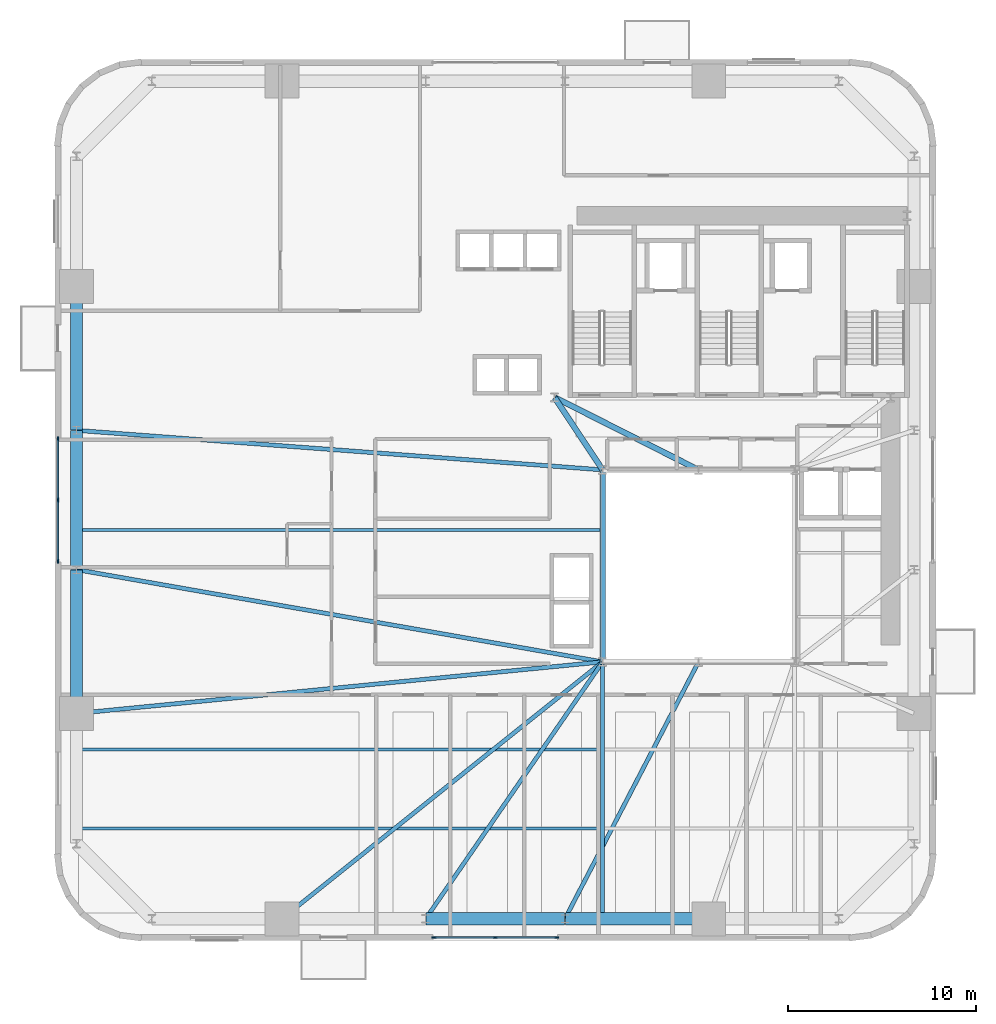
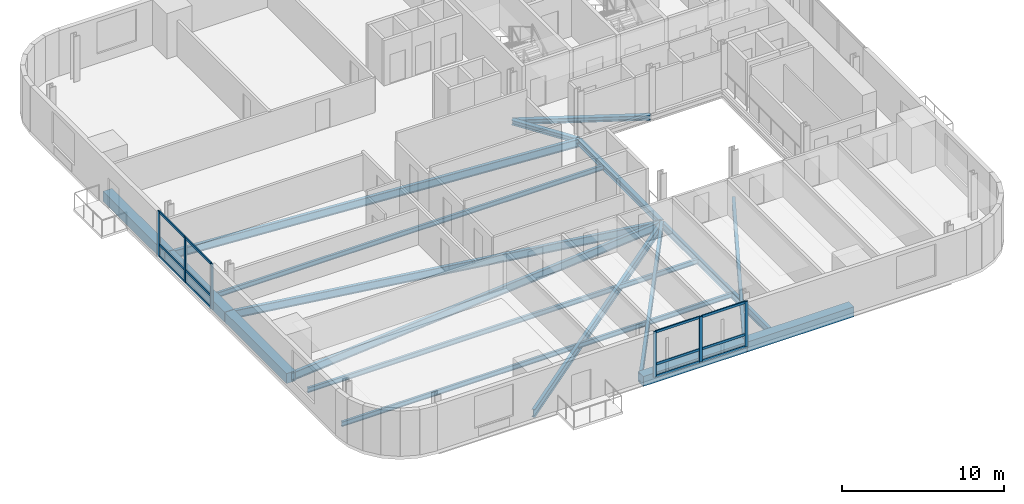
# One storey, part 2 of 13: 18 beams, 18 members, 2 elements without a shape of their own.
"""IFC4 building model written with IfcOpenShell, lengths in metres."""

from ifc_helpers import new_model, si_unit, direction, frame, origin, origin_2d, place, context, subcontext, project, spatial, rectangle, i_section, extrude, source, transform, mapped, material, material_profile, profile_set, type_object, element, aggregate, save


model = new_model("IFC4")

# Units and contexts
model_context = context("Model", 3, precision=1e-05, world=origin(), true_north=direction((0.0, 1.0)))
body_context = subcontext(model_context, "Body", "Model", "MODEL_VIEW")
ifc_project = project(units=[si_unit("LENGTHUNIT", "METRE"), si_unit("AREAUNIT", "SQUARE_METRE"), si_unit("VOLUMEUNIT", "CUBIC_METRE"), si_unit("PLANEANGLEUNIT", "RADIAN"), si_unit("MASSUNIT", "GRAM", prefix="KILO")], contexts=[model_context])

# Site, building, storey
site_placement = place(None, origin())
site = spatial("IfcSite", under=ifc_project, at=site_placement, CompositionType="ELEMENT")
building_placement = place(site_placement, origin())
building = spatial("IfcBuilding", under=site, at=building_placement, Name="Vardaveli Station Tower", CompositionType="ELEMENT")
storey_placement = place(building_placement, frame((0.0, 0.0, 56.800048828125)))
storey = spatial("IfcBuildingStorey", under=building, at=storey_placement, Name="L14", CompositionType="ELEMENT", Elevation=56.800048828125)

# Beams
ifc_material_1 = material(Name="Structural steel S355J2", Category="steel")
ifc_material_profile_1 = material_profile(ifc_material_1, i_section(OverallWidth=0.300048828125, OverallDepth=0.449951171875, WebThickness=0.013916015625, FlangeThickness=0.02587890625, FilletRadius=0.027099609375, at=origin_2d()), Name="HEB 450")
ifc_profile_set_1 = profile_set([ifc_material_profile_1], Name="Structural steel S355J2")
beam_type_1 = type_object("IfcBeamType", Name="BM-HEB450", PredefinedType="BEAM", material=ifc_profile_set_1)
shared_shape_1 = source(origin(), body_context, "Body", "SweptSolid", [
    extrude(i_section(OverallWidth=0.300048828125, OverallDepth=0.449951171875, WebThickness=0.013916015625, FlangeThickness=0.02587890625, FilletRadius=0.027099609375, at=origin_2d()), origin(), (0.0, 0.0, 1.0), 10.159912109375),
])
beam_1_placement = place(storey_placement, frame((31.199951171875, 26.780029296875, -0.465087890625), z_axis=(0.0, -1.0, 0.0), x_axis=(1.0, 0.0, 0.0)))
element("IfcBeam", 1, at=beam_1_placement, inside=storey, type_object=beam_type_1, Name="ABM-L14-06", PredefinedType="BEAM", context=body_context, shape_type="MappedRepresentation", body=[
    mapped(shared_shape_1, transform((0.0, 0.0, 0.0), scale=1.0)),
])
ifc_material_profile_2 = material_profile(ifc_material_1, i_section(OverallWidth=0.300048828125, OverallDepth=0.360107421875, WebThickness=0.012451171875, FlangeThickness=0.0224609375, FilletRadius=0.027099609375, at=origin_2d()), Name="HEB 360")
ifc_profile_set_2 = profile_set([ifc_material_profile_2], Name="Structural steel S355J2")
beam_type_2 = type_object("IfcBeamType", Name="BM-HEB360", PredefinedType="BEAM", material=ifc_profile_set_2)
shared_shape_2 = source(origin(), body_context, "Body", "SweptSolid", [
    extrude(i_section(OverallWidth=0.300048828125, OverallDepth=0.360107421875, WebThickness=0.012451171875, FlangeThickness=0.0224609375, FilletRadius=0.027099609375, at=origin_2d()), origin(), (0.0, 0.0, 1.0), 4.577880859375),
])
beam_2_placement = place(storey_placement, frame((31.18896484375, 26.816650390625, -0.420166015625), z_axis=(-0.55218702139, 0.833720272879, 0.0), x_axis=(-0.833720272879, -0.55218702139, 0.0)))
element("IfcBeam", 2, at=beam_2_placement, inside=storey, type_object=beam_type_2, Name="CBM-L14-01", PredefinedType="BEAM", context=body_context, shape_type="MappedRepresentation", body=[
    mapped(shared_shape_2, transform((0.0, 0.0, 0.0), scale=1.0)),
])
shared_shape_3 = source(origin(), body_context, "Body", "SweptSolid", [
    extrude(i_section(OverallWidth=0.300048828125, OverallDepth=0.360107421875, WebThickness=0.012451171875, FlangeThickness=0.0224609375, FilletRadius=0.027099609375, at=origin_2d()), origin(), (0.0, 0.0, 1.0), 8.524169921875),
])
beam_3_placement = place(storey_placement, frame((28.66796875, 30.64111328125, -0.420166015625), z_axis=(0.893255584708, -0.449549174605, 0.0), x_axis=(0.449549174605, 0.893255584708, 0.0)))
element("IfcBeam", 3, at=beam_3_placement, inside=storey, type_object=beam_type_2, Name="CBM-L14-03", PredefinedType="BEAM", context=body_context, shape_type="MappedRepresentation", body=[
    mapped(shared_shape_3, transform((0.0, 0.0, 0.0), scale=1.0)),
])
ifc_material_2 = material(Name="Precast concrete C45/55", Category="concrete")
ifc_material_profile_3 = material_profile(ifc_material_2, rectangle(XDim=0.64990234375, YDim=0.75, at=origin_2d()), Name="LPB 650x750")
ifc_profile_set_3 = profile_set([ifc_material_profile_3], Name="Precast concrete C45/55")
beam_type_3 = type_object("IfcBeamType", Name="BM-LPB-750", PredefinedType="BEAM", material=ifc_profile_set_3)
shared_shape_4 = source(origin(), body_context, "Body", "SweptSolid", [
    extrude(rectangle(XDim=0.64990234375, YDim=0.75, at=origin_2d()), origin(), (0.0, 0.0, 1.0), 7.60009765625),
])
for number, where, z_axis, x_axis, name in (
    (4, (29.219970703125, 2.949951171875, -0.614990234375), (1.0, 0.0, 0.0), (0.0, 1.0, 0.0), "RBM-L14-03"),
    (5, (3.25, 36.52001953125, -0.614990234375), (0.0, -1.0, 0.0), (1.0, 0.0, 0.0), "RBM-L14-19"),
    (6, (3.25, 21.47998046875, -0.614990234375), (0.0, -1.0, 0.0), (1.0, 0.0, 0.0), "RBM-L14-21"),
):
    element("IfcBeam", number, at=place(storey_placement, frame(where, z_axis=z_axis, x_axis=x_axis)), inside=storey, type_object=beam_type_3, Name=name, PredefinedType="BEAM", context=body_context, shape_type="MappedRepresentation", body=[
        mapped(shared_shape_4, transform((0.0, 0.0, 0.0), scale=1.0)),
    ])
shared_shape_5 = source(origin(), body_context, "Body", "SweptSolid", [
    extrude(rectangle(XDim=0.64990234375, YDim=0.75, at=origin_2d()), origin(), (0.0, 0.0, 1.0), 7.35986328125),
])
for number, where, z_axis, x_axis, name in (
    (7, (21.820068359375, 2.949951171875, -0.614990234375), (1.0, 0.0, 0.0), (0.0, 1.0, 0.0), "RBM-L14-02"),
    (8, (3.25, 28.8798828125, -0.614990234375), (0.0, -1.0, 0.0), (1.0, 0.0, 0.0), "RBM-L14-20"),
):
    element("IfcBeam", number, at=place(storey_placement, frame(where, z_axis=z_axis, x_axis=x_axis)), inside=storey, type_object=beam_type_3, Name=name, PredefinedType="BEAM", context=body_context, shape_type="MappedRepresentation", body=[
        mapped(shared_shape_5, transform((0.0, 0.0, 0.0), scale=1.0)),
    ])
ifc_material_profile_4 = material_profile(ifc_material_1, i_section(OverallWidth=0.219970703125, OverallDepth=0.60009765625, WebThickness=0.011962890625, FlangeThickness=0.01904296875, FilletRadius=0.02392578125, at=origin_2d()), Name="IPE 600")
ifc_profile_set_4 = profile_set([ifc_material_profile_4], Name="Structural steel S355J2")
beam_type_4 = type_object("IfcBeamType", Name="BM-IPE600", PredefinedType="BEAM", material=ifc_profile_set_4)
shared_shape_6 = source(origin(), body_context, "Body", "SweptSolid", [
    extrude(i_section(OverallWidth=0.219970703125, OverallDepth=0.60009765625, WebThickness=0.011962890625, FlangeThickness=0.01904296875, FilletRadius=0.02392578125, at=origin_2d()), origin(), (0.0, 0.0, 1.0), 21.793212890625),
])
beam_4_placement = place(storey_placement, frame((14.175537109375, 2.96240234375, -0.5400390625), z_axis=(0.780466445023, 0.625197671296, 0.0), x_axis=(-0.625197671296, 0.780466445023, 0.0)))
element("IfcBeam", 9, at=beam_4_placement, inside=storey, type_object=beam_type_4, Name="GBM-L14-01", PredefinedType="BEAM", context=body_context, shape_type="MappedRepresentation", body=[
    mapped(shared_shape_6, transform((0.0, 0.0, 0.0), scale=1.0)),
])
shared_shape_7 = source(origin(), body_context, "Body", "SweptSolid", [
    extrude(i_section(OverallWidth=0.219970703125, OverallDepth=0.60009765625, WebThickness=0.011962890625, FlangeThickness=0.01904296875, FilletRadius=0.02392578125, at=origin_2d()), origin(), (0.0, 0.0, 1.0), 16.533447265625),
])
beam_5_placement = place(storey_placement, frame((21.811279296875, 2.966552734375, -0.5400390625), z_axis=(0.567177272103, 0.823595739431, 0.0), x_axis=(-0.823595739431, 0.567177272103, 0.0)))
element("IfcBeam", 10, at=beam_5_placement, inside=storey, type_object=beam_type_4, Name="GBM-L14-02", PredefinedType="BEAM", context=body_context, shape_type="MappedRepresentation", body=[
    mapped(shared_shape_7, transform((0.0, 0.0, 0.0), scale=1.0)),
])
shared_shape_8 = source(origin(), body_context, "Body", "SweptSolid", [
    extrude(i_section(OverallWidth=0.219970703125, OverallDepth=0.60009765625, WebThickness=0.011962890625, FlangeThickness=0.01904296875, FilletRadius=0.02392578125, at=origin_2d()), origin(), (0.0, 0.0, 1.0), 15.34619140625),
])
beam_6_placement = place(storey_placement, frame((29.209228515625, 2.9677734375, -0.5400390625), z_axis=(0.461455420507, 0.887163398075, 0.0), x_axis=(-0.887163398075, 0.461455420507, 0.0)))
element("IfcBeam", 11, at=beam_6_placement, inside=storey, type_object=beam_type_4, Name="GBM-L14-03", PredefinedType="BEAM", context=body_context, shape_type="MappedRepresentation", body=[
    mapped(shared_shape_8, transform((0.0, 0.0, 0.0), scale=1.0)),
])
shared_shape_9 = source(origin(), body_context, "Body", "SweptSolid", [
    extrude(i_section(OverallWidth=0.219970703125, OverallDepth=0.60009765625, WebThickness=0.011962890625, FlangeThickness=0.01904296875, FilletRadius=0.02392578125, at=origin_2d()), origin(), (0.0, 0.0, 1.0), 27.98876953125),
])
beam_7_placement = place(storey_placement, frame((3.27001953125, 28.8984375, -0.5400390625), z_axis=(0.99718954315, -0.074920057611, 0.0), x_axis=(0.074920057611, 0.99718954315, 0.0)))
element("IfcBeam", 12, at=beam_7_placement, inside=storey, type_object=beam_type_4, Name="GBM-L14-08", PredefinedType="BEAM", context=body_context, shape_type="MappedRepresentation", body=[
    mapped(shared_shape_9, transform((0.0, 0.0, 0.0), scale=1.0)),
])
shared_shape_10 = source(origin(), body_context, "Body", "SweptSolid", [
    extrude(i_section(OverallWidth=0.219970703125, OverallDepth=0.60009765625, WebThickness=0.011962890625, FlangeThickness=0.01904296875, FilletRadius=0.02392578125, at=origin_2d()), origin(), (0.0, 0.0, 1.0), 28.33642578125),
])
beam_8_placement = place(storey_placement, frame((3.269775390625, 21.49658203125, -0.5400390625), z_axis=(0.984978267336, -0.172678350921, 0.0), x_axis=(0.172678350921, 0.984978267336, 0.0)))
element("IfcBeam", 13, at=beam_8_placement, inside=storey, type_object=beam_type_4, Name="GBM-L14-09", PredefinedType="BEAM", context=body_context, shape_type="MappedRepresentation", body=[
    mapped(shared_shape_10, transform((0.0, 0.0, 0.0), scale=1.0)),
])
shared_shape_11 = source(origin(), body_context, "Body", "SweptSolid", [
    extrude(i_section(OverallWidth=0.219970703125, OverallDepth=0.60009765625, WebThickness=0.011962890625, FlangeThickness=0.01904296875, FilletRadius=0.02392578125, at=origin_2d()), origin(), (0.0, 0.0, 1.0), 28.0439453125),
])
beam_9_placement = place(storey_placement, frame((3.27001953125, 13.862060546875, -0.5400390625), z_axis=(0.995229237856, 0.097564153855, 0.0), x_axis=(-0.097564153855, 0.995229237856, 0.0)))
element("IfcBeam", 14, at=beam_9_placement, inside=storey, type_object=beam_type_4, Name="GBM-L14-10", PredefinedType="BEAM", context=body_context, shape_type="MappedRepresentation", body=[
    mapped(shared_shape_11, transform((0.0, 0.0, 0.0), scale=1.0)),
])
ifc_material_profile_5 = material_profile(ifc_material_1, i_section(OverallWidth=0.2099609375, OverallDepth=0.550048828125, WebThickness=0.010986328125, FlangeThickness=0.01708984375, FilletRadius=0.02392578125, at=origin_2d()), Name="IPE 550")
ifc_profile_set_5 = profile_set([ifc_material_profile_5], Name="Structural steel S355J2")
beam_type_5 = type_object("IfcBeamType", Name="BM-IPE550", PredefinedType="BEAM", material=ifc_profile_set_5)
shared_shape_12 = source(origin(), body_context, "Body", "SweptSolid", [
    extrude(i_section(OverallWidth=0.2099609375, OverallDepth=0.550048828125, WebThickness=0.010986328125, FlangeThickness=0.01708984375, FilletRadius=0.02392578125, at=origin_2d()), origin(), (0.0, 0.0, 1.0), 13.469970703125),
])
beam_10_placement = place(storey_placement, frame((31.199951171875, 2.989990234375, -0.51513671875), z_axis=(0.0, 1.0, 0.0), x_axis=(-1.0, 0.0, 0.0)))
element("IfcBeam", 15, at=beam_10_placement, inside=storey, type_object=beam_type_5, Name="NSM-L14-S1", PredefinedType="BEAM", context=body_context, shape_type="MappedRepresentation", body=[
    mapped(shared_shape_12, transform((0.0, 0.0, 0.0), scale=1.0)),
])
ifc_material_profile_6 = material_profile(ifc_material_1, i_section(OverallWidth=0.169921875, OverallDepth=0.360107421875, WebThickness=0.008056640625, FlangeThickness=0.0126953125, FilletRadius=0.01806640625, at=origin_2d()), Name="IPE 360")
ifc_profile_set_6 = profile_set([ifc_material_profile_6], Name="Structural steel S355J2")
beam_type_6 = type_object("IfcBeamType", Name="BM-IPE360", PredefinedType="JOIST", material=ifc_profile_set_6)
shared_shape_13 = source(origin(), body_context, "Body", "SweptSolid", [
    extrude(i_section(OverallWidth=0.169921875, OverallDepth=0.360107421875, WebThickness=0.008056640625, FlangeThickness=0.0126953125, FilletRadius=0.01806640625, at=origin_2d()), origin(), (0.0, 0.0, 1.0), 27.7978515625),
])
for number, where, z_axis, x_axis, name in (
    (16, (3.2900390625, 7.75, -0.420166015625), (1.0, 0.0, 0.0), (0.0, 1.0, 0.0), "SJ-L14-S01"),
    (17, (3.2900390625, 11.949951171875, -0.420166015625), (1.0, 0.0, 0.0), (0.0, 1.0, 0.0), "SJ-L14-S04"),
    (18, (3.2900390625, 23.60009765625, -0.420166015625), (1.0, 0.0, 0.0), (0.0, 1.0, 0.0), "SJ-L14-W08"),
):
    element("IfcBeam", number, at=place(storey_placement, frame(where, z_axis=z_axis, x_axis=x_axis)), inside=storey, type_object=beam_type_6, Name=name, PredefinedType="JOIST", context=body_context, shape_type="MappedRepresentation", body=[
        mapped(shared_shape_13, transform((0.0, 0.0, 0.0), scale=1.0)),
    ])

# Curtain wall, members
ifc_material_3 = material(Name="Travertine stone and solar-control glass", Category="masonry")
curtain_wall_type = type_object("IfcCurtainWallType", Name="CW-SYS-2", PredefinedType="NOTDEFINED", material=ifc_material_3)
curtain_wall_1_placement = place(storey_placement, origin())
curtain_wall_1 = element("IfcCurtainWall", 19, at=curtain_wall_1_placement, inside=storey, type_object=curtain_wall_type, Name="CW-L14-S", PredefinedType="NOTDEFINED")
ifc_material_4 = material(Name="Anodised aluminium alloy 6063-T6", Category="aluminium")
ifc_material_profile_7 = material_profile(ifc_material_4, rectangle(XDim=0.0849609375, YDim=0.219970703125, at=origin_2d()), Name="CWM 85x220")
ifc_profile_set_7 = profile_set([ifc_material_profile_7], Name="Anodised aluminium alloy 6063-T6")
member_type_1 = type_object("IfcMemberType", Name="CW-SYS-2-MULL", PredefinedType="MULLION", material=ifc_profile_set_7)
shared_shape_14 = source(origin(), body_context, "Body", "SweptSolid", [
    extrude(rectangle(XDim=0.0849609375, YDim=0.219970703125, at=origin_2d()), origin(), (0.0, 0.0, 1.0), 3.409912109375),
])
member_1_placement = place(storey_placement, frame((22.242431640625, 1.9599609375, 0.0), z_axis=(0.0, 0.0, 1.0), x_axis=(0.0, 1.0, 0.0)))
member_1 = element("IfcMember", 20, at=member_1_placement, type_object=member_type_1, Name="CW-2 mullion 1", PredefinedType="MULLION", context=body_context, shape_type="MappedRepresentation", body=[
    mapped(shared_shape_14, transform((0.0, 0.0, 0.0), scale=1.0)),
])
member_2_placement = place(storey_placement, frame((25.5, 1.9599609375, 0.0), z_axis=(0.0, 0.0, 1.0), x_axis=(0.0, 1.0, 0.0)))
member_2 = element("IfcMember", 21, at=member_2_placement, type_object=member_type_1, Name="CW-2 mullion 2", PredefinedType="MULLION", context=body_context, shape_type="MappedRepresentation", body=[
    mapped(shared_shape_14, transform((0.0, 0.0, 0.0), scale=1.0)),
])
member_3_placement = place(storey_placement, frame((28.757568359375, 1.9599609375, 0.0), z_axis=(0.0, 0.0, 1.0), x_axis=(0.0, 1.0, 0.0)))
member_3 = element("IfcMember", 22, at=member_3_placement, type_object=member_type_1, Name="CW-2 mullion 3", PredefinedType="MULLION", context=body_context, shape_type="MappedRepresentation", body=[
    mapped(shared_shape_14, transform((0.0, 0.0, 0.0), scale=1.0)),
])

curtain_wall_2_placement = place(storey_placement, origin())
curtain_wall_2 = element("IfcCurtainWall", 23, at=curtain_wall_2_placement, inside=storey, type_object=curtain_wall_type, Name="CW-L14-W", PredefinedType="NOTDEFINED")
member_4_placement = place(storey_placement, frame((2.260009765625, 28.45751953125, 0.0), z_axis=(0.0, 0.0, 1.0), x_axis=(1.0, 0.0, 0.0)))
member_4 = element("IfcMember", 24, at=member_4_placement, type_object=member_type_1, Name="CW-2 mullion 1", PredefinedType="MULLION", context=body_context, shape_type="MappedRepresentation", body=[
    mapped(shared_shape_14, transform((0.0, 0.0, 0.0), scale=1.0)),
])
member_5_placement = place(storey_placement, frame((2.260009765625, 25.199951171875, 0.0), z_axis=(0.0, 0.0, 1.0), x_axis=(1.0, 0.0, 0.0)))
member_5 = element("IfcMember", 25, at=member_5_placement, type_object=member_type_1, Name="CW-2 mullion 2", PredefinedType="MULLION", context=body_context, shape_type="MappedRepresentation", body=[
    mapped(shared_shape_14, transform((0.0, 0.0, 0.0), scale=1.0)),
])
member_6_placement = place(storey_placement, frame((2.260009765625, 21.9423828125, 0.0), z_axis=(0.0, 0.0, 1.0), x_axis=(1.0, 0.0, 0.0)))
member_6 = element("IfcMember", 26, at=member_6_placement, type_object=member_type_1, Name="CW-2 mullion 3", PredefinedType="MULLION", context=body_context, shape_type="MappedRepresentation", body=[
    mapped(shared_shape_14, transform((0.0, 0.0, 0.0), scale=1.0)),
])

# Member
ifc_material_profile_8 = material_profile(ifc_material_4, rectangle(XDim=0.0849609375, YDim=0.179931640625, at=origin_2d()), Name="CWT 85x180")
ifc_profile_set_8 = profile_set([ifc_material_profile_8], Name="Anodised aluminium alloy 6063-T6")
member_type_2 = type_object("IfcMemberType", Name="CW-SYS-2-TRAN", PredefinedType="NOTDEFINED", material=ifc_profile_set_8)
shared_shape_15 = source(origin(), body_context, "Body", "SweptSolid", [
    extrude(rectangle(XDim=0.0849609375, YDim=0.179931640625, at=origin_2d()), origin(), (0.0, 0.0, 1.0), 3.172607421875),
])
member_7_placement = place(storey_placement, frame((22.284912109375, 1.9599609375, 0.04248046875), z_axis=(1.0, 0.0, 0.0), x_axis=(0.0, 1.0, 0.0)))
member_7 = element("IfcMember", 27, at=member_7_placement, type_object=member_type_2, Name="CW-2 transom 1.1", ObjectType="TRANSOM", PredefinedType="USERDEFINED", context=body_context, shape_type="MappedRepresentation", body=[
    mapped(shared_shape_15, transform((0.0, 0.0, 0.0), scale=1.0)),
])

member_8_placement = place(storey_placement, frame((22.284912109375, 1.9599609375, 0.949951171875), z_axis=(1.0, 0.0, 0.0), x_axis=(0.0, 1.0, 0.0)))
member_8 = element("IfcMember", 28, at=member_8_placement, type_object=member_type_2, Name="CW-2 transom 1.2", ObjectType="TRANSOM", PredefinedType="USERDEFINED", context=body_context, shape_type="MappedRepresentation", body=[
    mapped(shared_shape_15, transform((0.0, 0.0, 0.0), scale=1.0)),
])

member_9_placement = place(storey_placement, frame((22.284912109375, 1.9599609375, 3.367431640625), z_axis=(1.0, 0.0, 0.0), x_axis=(0.0, 1.0, 0.0)))
member_9 = element("IfcMember", 29, at=member_9_placement, type_object=member_type_2, Name="CW-2 transom 1.3", ObjectType="TRANSOM", PredefinedType="USERDEFINED", context=body_context, shape_type="MappedRepresentation", body=[
    mapped(shared_shape_15, transform((0.0, 0.0, 0.0), scale=1.0)),
])

member_10_placement = place(storey_placement, frame((25.54248046875, 1.9599609375, 0.04248046875), z_axis=(1.0, 0.0, 0.0), x_axis=(0.0, 1.0, 0.0)))
member_10 = element("IfcMember", 30, at=member_10_placement, type_object=member_type_2, Name="CW-2 transom 2.1", ObjectType="TRANSOM", PredefinedType="USERDEFINED", context=body_context, shape_type="MappedRepresentation", body=[
    mapped(shared_shape_15, transform((0.0, 0.0, 0.0), scale=1.0)),
])

member_11_placement = place(storey_placement, frame((25.54248046875, 1.9599609375, 0.949951171875), z_axis=(1.0, 0.0, 0.0), x_axis=(0.0, 1.0, 0.0)))
member_11 = element("IfcMember", 31, at=member_11_placement, type_object=member_type_2, Name="CW-2 transom 2.2", ObjectType="TRANSOM", PredefinedType="USERDEFINED", context=body_context, shape_type="MappedRepresentation", body=[
    mapped(shared_shape_15, transform((0.0, 0.0, 0.0), scale=1.0)),
])

member_12_placement = place(storey_placement, frame((25.54248046875, 1.9599609375, 3.367431640625), z_axis=(1.0, 0.0, 0.0), x_axis=(0.0, 1.0, 0.0)))
member_12 = element("IfcMember", 32, at=member_12_placement, type_object=member_type_2, Name="CW-2 transom 2.3", ObjectType="TRANSOM", PredefinedType="USERDEFINED", context=body_context, shape_type="MappedRepresentation", body=[
    mapped(shared_shape_15, transform((0.0, 0.0, 0.0), scale=1.0)),
])

aggregate(curtain_wall_1, [member_1, member_2, member_3, member_7, member_8, member_9, member_10, member_11, member_12])

member_13_placement = place(storey_placement, frame((2.260009765625, 28.4150390625, 0.04248046875), z_axis=(0.0, -1.0, 0.0), x_axis=(1.0, 0.0, 0.0)))
member_13 = element("IfcMember", 33, at=member_13_placement, type_object=member_type_2, Name="CW-2 transom 1.1", ObjectType="TRANSOM", PredefinedType="USERDEFINED", context=body_context, shape_type="MappedRepresentation", body=[
    mapped(shared_shape_15, transform((0.0, 0.0, 0.0), scale=1.0)),
])

member_14_placement = place(storey_placement, frame((2.260009765625, 28.4150390625, 0.949951171875), z_axis=(0.0, -1.0, 0.0), x_axis=(1.0, 0.0, 0.0)))
member_14 = element("IfcMember", 34, at=member_14_placement, type_object=member_type_2, Name="CW-2 transom 1.2", ObjectType="TRANSOM", PredefinedType="USERDEFINED", context=body_context, shape_type="MappedRepresentation", body=[
    mapped(shared_shape_15, transform((0.0, 0.0, 0.0), scale=1.0)),
])

member_15_placement = place(storey_placement, frame((2.260009765625, 28.4150390625, 3.367431640625), z_axis=(0.0, -1.0, 0.0), x_axis=(1.0, 0.0, 0.0)))
member_15 = element("IfcMember", 35, at=member_15_placement, type_object=member_type_2, Name="CW-2 transom 1.3", ObjectType="TRANSOM", PredefinedType="USERDEFINED", context=body_context, shape_type="MappedRepresentation", body=[
    mapped(shared_shape_15, transform((0.0, 0.0, 0.0), scale=1.0)),
])

shared_shape_16 = source(origin(), body_context, "Body", "SweptSolid", [
    extrude(rectangle(XDim=0.0849609375, YDim=0.179931640625, at=origin_2d()), origin(), (0.0, 0.0, 1.0), 3.17236328125),
])
member_16_placement = place(storey_placement, frame((2.260009765625, 25.157470703125, 0.04248046875), z_axis=(0.0, -1.0, 0.0), x_axis=(1.0, 0.0, 0.0)))
member_16 = element("IfcMember", 36, at=member_16_placement, type_object=member_type_2, Name="CW-2 transom 2.1", ObjectType="TRANSOM", PredefinedType="USERDEFINED", context=body_context, shape_type="MappedRepresentation", body=[
    mapped(shared_shape_16, transform((0.0, 0.0, 0.0), scale=1.0)),
])

member_17_placement = place(storey_placement, frame((2.260009765625, 25.157470703125, 0.949951171875), z_axis=(0.0, -1.0, 0.0), x_axis=(1.0, 0.0, 0.0)))
member_17 = element("IfcMember", 37, at=member_17_placement, type_object=member_type_2, Name="CW-2 transom 2.2", ObjectType="TRANSOM", PredefinedType="USERDEFINED", context=body_context, shape_type="MappedRepresentation", body=[
    mapped(shared_shape_16, transform((0.0, 0.0, 0.0), scale=1.0)),
])

member_18_placement = place(storey_placement, frame((2.260009765625, 25.157470703125, 3.367431640625), z_axis=(0.0, -1.0, 0.0), x_axis=(1.0, 0.0, 0.0)))
member_18 = element("IfcMember", 38, at=member_18_placement, type_object=member_type_2, Name="CW-2 transom 2.3", ObjectType="TRANSOM", PredefinedType="USERDEFINED", context=body_context, shape_type="MappedRepresentation", body=[
    mapped(shared_shape_16, transform((0.0, 0.0, 0.0), scale=1.0)),
])

aggregate(curtain_wall_2, [member_4, member_5, member_6, member_13, member_14, member_15, member_16, member_17, member_18])

save(model, "model.ifc")
